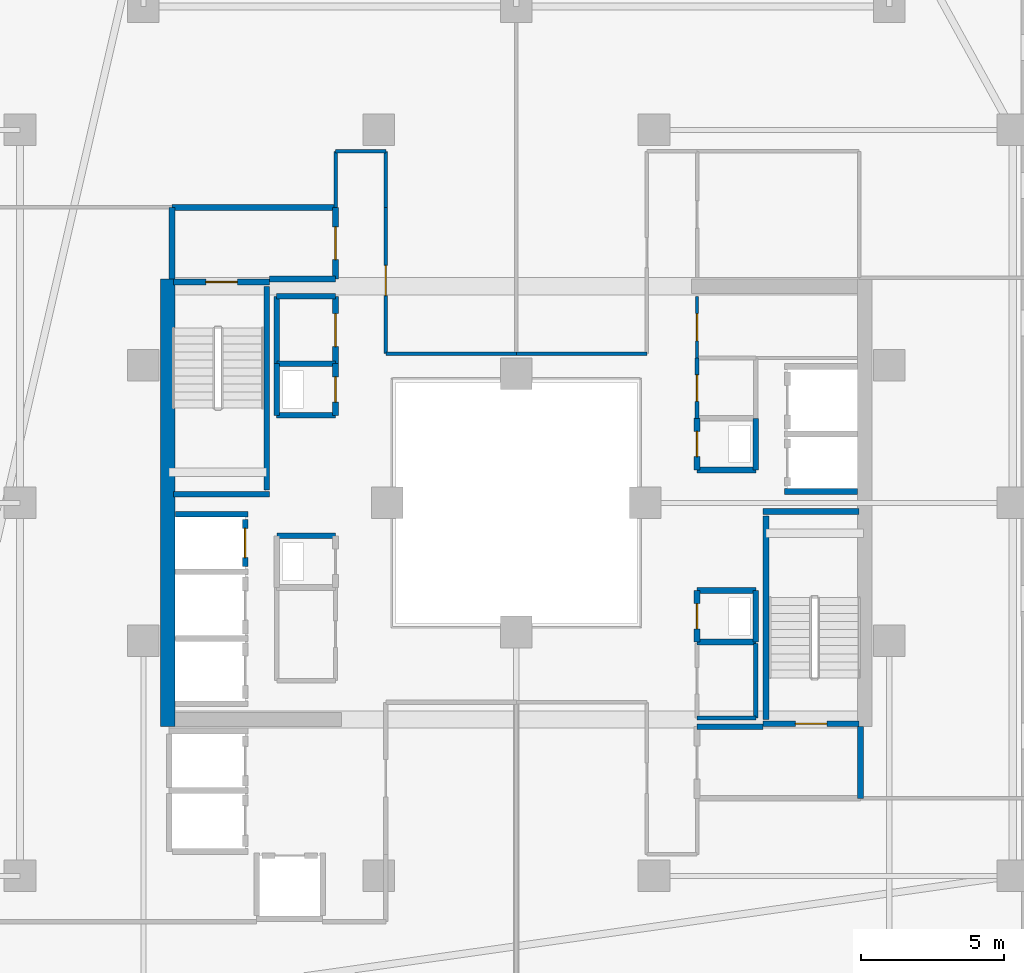
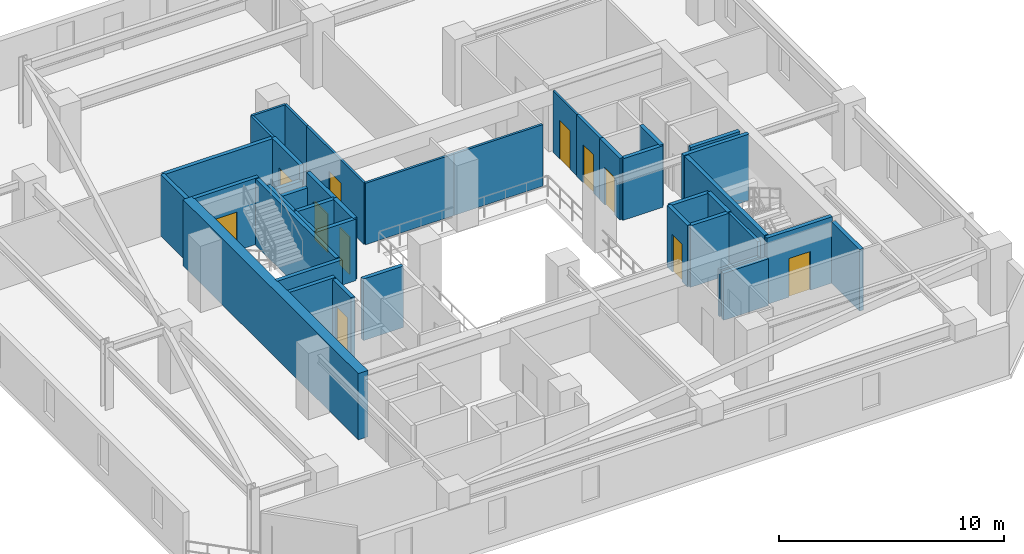
# One storey, part 24 of 32: 41 walls, 11 doors, 11 openings.
"""IFC4 building model written with IfcOpenShell, lengths in metres."""

import ifcopenshell
import ifcopenshell.guid

model = None  # the IFC model being written
_history = None  # IfcOwnerHistory: only IFC2X3 demands one
_inside = {}  # id of a spatial element -> (the spatial element, [elements in it])
_under = {}  # id of a project, library or spatial element -> (it, [spatial elements below it])
_declared = {}  # id of a project -> (the project, [libraries it declares])
_typed = {}  # id of a type object -> (the type object, [elements of that type])
_made_of = {}  # id of a material, layer set ... -> (it, [elements and type objects made of it])


def new_model(schema):
    """Start an empty IFC model of exactly this schema.

    Asked for "IFC4X3", IfcOpenShell would pick the latest addendum, in which some entities
    have other attributes; the version numbers below select the first issue.
    IFC2X3 requires an IfcOwnerHistory on every rooted entity: one is made here for all.
    """
    global model, _history
    if schema == "IFC4X3":
        model = ifcopenshell.file(schema_version=(4, 3, 0, 0))
    else:
        model = ifcopenshell.file(schema=schema)
    _inside.clear()
    _under.clear()
    _declared.clear()
    _typed.clear()
    _made_of.clear()
    _history = None
    if model.schema == "IFC2X3":
        org = make("IfcOrganization", Name="unknown")
        user = make(
            "IfcPersonAndOrganization",
            ThePerson=make("IfcPerson", FamilyName="unknown"),
            TheOrganization=org,
        )
        app = make(
            "IfcApplication",
            ApplicationDeveloper=org,
            Version="unknown",
            ApplicationFullName="unknown",
            ApplicationIdentifier="unknown",
        )
        _history = make(
            "IfcOwnerHistory",
            OwningUser=user,
            OwningApplication=app,
            ChangeAction="ADDED",
            CreationDate=0,
        )
    return model


def make(cls, **values):
    """One entity of the class cls with the attributes given. An attribute that is None is left unset."""
    return model.create_entity(
        cls, **{name: value for name, value in values.items() if value is not None}
    )


def rooted(cls, **values):
    """An entity with a GlobalId (a new one), such as an element, a storey or a relation."""
    return make(cls, GlobalId=ifcopenshell.guid.new(), OwnerHistory=_history, **values)


def si_unit(unit_type, name, prefix=None):
    """IfcSIUnit, for example si_unit("LENGTHUNIT", "METRE", prefix="MILLI")."""
    return make("IfcSIUnit", UnitType=unit_type, Prefix=prefix, Name=name)


def assignment(units):
    """IfcUnitAssignment: the units of a project."""
    return None if units is None else make("IfcUnitAssignment", Units=units)


def point(xyz):
    """IfcCartesianPoint."""
    return None if xyz is None else make("IfcCartesianPoint", Coordinates=xyz)


def direction(xyz):
    """IfcDirection."""
    return None if xyz is None else make("IfcDirection", DirectionRatios=xyz)


def frame(location, z_axis=None, x_axis=None):
    """IfcAxis2Placement3D, a coordinate frame: its origin and axes. An axis left out is left unset."""
    return make(
        "IfcAxis2Placement3D",
        Location=point(location),
        Axis=direction(z_axis),
        RefDirection=direction(x_axis),
    )


def frame_2d(location, x_axis=None):
    """IfcAxis2Placement2D, a coordinate frame in the plane: its origin and x axis."""
    return make(
        "IfcAxis2Placement2D", Location=point(location), RefDirection=direction(x_axis)
    )


def origin():
    """The frame at (0, 0, 0) with its axes left unset."""
    return frame((0.0, 0.0, 0.0))


def place(relative_to, where):
    """IfcLocalPlacement: puts the frame where relative to a parent placement (None: the world)."""
    return make(
        "IfcLocalPlacement", PlacementRelTo=relative_to, RelativePlacement=where
    )


def context(
    kind, dimensions, precision=None, world=None, true_north=None, identifier=None
):
    """IfcGeometricRepresentationContext, for example the 3D "Model" context."""
    return make(
        "IfcGeometricRepresentationContext",
        ContextIdentifier=identifier,
        ContextType=kind,
        CoordinateSpaceDimension=dimensions,
        Precision=precision,
        WorldCoordinateSystem=world,
        TrueNorth=true_north,
    )


def subcontext(parent, identifier, kind, view, scale=None):
    """IfcGeometricRepresentationSubContext, for example "Body" below "Model"."""
    return make(
        "IfcGeometricRepresentationSubContext",
        ContextIdentifier=identifier,
        ContextType=kind,
        ParentContext=parent,
        TargetScale=scale,
        TargetView=view,
    )


def project(units=None, contexts=None):
    """IfcProject with its units and contexts."""
    return rooted(
        "IfcProject",
        Name="project",
        RepresentationContexts=contexts,
        UnitsInContext=assignment(units),
    )


def spatial(cls, under=None, at=None, **own):
    """A site, building, storey or space (cls), placed at a placement, below another one or the project."""
    s = rooted(cls, ObjectPlacement=at, **own)
    if under is not None:
        _under.setdefault(under.id(), (under, []))[1].append(s)
    return s


def profile(cls, at=None, kind="AREA", **sizes):
    """A parametric profile (cls). Its sizes go by their IFC names, for example OverallWidth=200.0."""
    return make(cls, ProfileType=kind, Position=at, **sizes)


def rectangle(**sizes):
    """IfcRectangleProfileDef."""
    return profile("IfcRectangleProfileDef", **sizes)


def extrude(swept, where, along, depth):
    """IfcExtrudedAreaSolid: the profile swept, set in the frame where, extruded along a direction by depth."""
    return make(
        "IfcExtrudedAreaSolid",
        SweptArea=swept,
        Position=where,
        ExtrudedDirection=direction(along),
        Depth=depth,
    )


def shape(context_of_items, identifier, shape_type, items):
    """IfcShapeRepresentation: the items that make up one representation, for example the "Body"."""
    return make(
        "IfcShapeRepresentation",
        ContextOfItems=context_of_items,
        RepresentationIdentifier=identifier,
        RepresentationType=shape_type,
        Items=items,
    )


def material(Name=None, Category=None):
    """IfcMaterial."""
    return make("IfcMaterial", Name=Name, Category=Category)


def layer(
    of_material, thickness, ventilated=None, Name=None, Category=None, Priority=None
):
    """IfcMaterialLayer: one layer of a wall or slab, of a material (None: an air gap)."""
    return make(
        "IfcMaterialLayer",
        Material=of_material,
        LayerThickness=thickness,
        IsVentilated=ventilated,
        Name=Name,
        Category=Category,
        Priority=Priority,
    )


def layer_set(layers, Name=None):
    """IfcMaterialLayerSet."""
    return make("IfcMaterialLayerSet", MaterialLayers=layers, LayerSetName=Name)


def made_of(thing, what):
    """Note that an element or type object is made of a material, layer set ...; save() writes the relation."""
    if what is not None:
        _made_of.setdefault(what.id(), (what, []))[1].append(thing)
    return thing


def type_object(cls, material=None, **own):
    """A type object (cls), such as IfcWallType, which elements share."""
    return made_of(rooted(cls, **own), material)


def element(
    cls,
    number,
    at=None,
    inside=None,
    cuts=None,
    type_object=None,
    material=None,
    context=None,
    identifier="Body",
    shape_type=None,
    held_by="IfcProductDefinitionShape",
    body=None,
    shapes=None,
    **own,
):
    """One element of the class cls, such as IfcWall. Its Tag is "e" and its number.

    at: its placement. inside: the storey or other place that contains it. cuts: it is an
    opening in that element (IfcRelVoidsElement). A single representation is given by context,
    identifier, shape_type and body (its items); several are given by shapes. held_by: the class
    of the entity that holds the representations. save() writes the other relations.
    """
    e = rooted(cls, Tag="e%d" % number, ObjectPlacement=at, **own)
    if body is not None:
        shapes = [shape(context, identifier, shape_type, body)]
    if shapes is not None:
        e.Representation = make(held_by, Representations=shapes)
    if inside is not None:
        _inside.setdefault(inside.id(), (inside, []))[1].append(e)
    if cuts is not None:
        rooted(
            "IfcRelVoidsElement", RelatingBuildingElement=cuts, RelatedOpeningElement=e
        )
    if type_object is not None:
        _typed.setdefault(type_object.id(), (type_object, []))[1].append(e)
    return made_of(e, material)


def fill(opening, filler):
    """IfcRelFillsElement: the door or window that sits in an opening."""
    return rooted(
        "IfcRelFillsElement",
        RelatingOpeningElement=opening,
        RelatedBuildingElement=filler,
    )


def aggregate(whole, parts):
    """IfcRelAggregates: a whole, such as a stair, and the parts it consists of."""
    return rooted("IfcRelAggregates", RelatingObject=whole, RelatedObjects=parts)


def save(model, path):
    """Write the relations noted so far, then the file.

    IfcRelAggregates (storeys below a building ...), IfcRelContainedInSpatialStructure (elements
    in a storey), IfcRelDefinesByType, IfcRelAssociatesMaterial and IfcRelDeclares: one each for
    every whole, place, type object, material and project.
    """
    for whole, parts in _under.values():
        aggregate(whole, parts)
    for where, things in _inside.values():
        rooted(
            "IfcRelContainedInSpatialStructure",
            RelatedElements=things,
            RelatingStructure=where,
        )
    for kind, things in _typed.values():
        rooted("IfcRelDefinesByType", RelatedObjects=things, RelatingType=kind)
    for what, things in _made_of.values():
        rooted("IfcRelAssociatesMaterial", RelatedObjects=things, RelatingMaterial=what)
    for by, libraries in _declared.values():
        rooted("IfcRelDeclares", RelatingContext=by, RelatedDefinitions=libraries)
    model.write(path)


model = new_model("IFC4")

# Units and contexts
model_context = context("Model", 3, precision=1e-05, world=origin(), true_north=direction((0.0, 1.0)))
body_context = subcontext(model_context, "Body", "Model", "MODEL_VIEW")
ifc_project = project(units=[si_unit("LENGTHUNIT", "METRE"), si_unit("AREAUNIT", "SQUARE_METRE"), si_unit("VOLUMEUNIT", "CUBIC_METRE"), si_unit("PLANEANGLEUNIT", "RADIAN"), si_unit("MASSUNIT", "GRAM", prefix="KILO")], contexts=[model_context])

# Site, building, storey
site_placement = place(None, origin())
site = spatial("IfcSite", under=ifc_project, at=site_placement, CompositionType="ELEMENT")
building_placement = place(site_placement, origin())
building = spatial("IfcBuilding", under=site, at=building_placement, Name="Thornwick Lancets Civic Towers", CompositionType="ELEMENT")
storey_placement = place(building_placement, frame((0.0, 0.0, 182.10009765625)))
storey = spatial("IfcBuildingStorey", under=building, at=storey_placement, Name="L48", CompositionType="ELEMENT", Elevation=182.10009765625)

# Wall, opening, door
ifc_material_1 = material(Name="Concrete blockwork C40/50", Category="masonry")
ifc_layer_1 = layer(ifc_material_1, 0.199951171875, Name="Concrete blockwork C40/50")
ifc_layer_set_1 = layer_set([ifc_layer_1], Name="Concrete blockwork C40/50")
wall_type_1 = type_object("IfcWallType", Name="WALL_COMP_200", PredefinedType="STANDARD", material=ifc_layer_set_1)
wall_1_placement = place(storey_placement, frame((79.050048828125, 24.780029296875, 0.0), z_axis=(0.0, 0.0, 1.0), x_axis=(0.0, 1.0, 0.0)))
wall_1 = element("IfcWall", 1, at=wall_1_placement, inside=storey, type_object=wall_type_1, Name="L48 Hoistway Front Wall FL-B2", PredefinedType="STANDARD", context=body_context, shape_type="SweptSolid", body=[
    extrude(rectangle(XDim=1.639892578125, YDim=0.199951171875, at=frame_2d((0.81982421875, 0.0))), origin(), (0.0, 0.0, 1.0), 3.33984375),
])
opening_1_placement = place(wall_1_placement, frame((0.31005859375, 0.0, 0.0)))
opening_1 = element("IfcOpeningElement", 2, at=opening_1_placement, cuts=wall_1, Name="Opening LD-FL-B2", PredefinedType="OPENING", context=body_context, shape_type="SweptSolid", body=[
    extrude(rectangle(XDim=1.02001953125, YDim=2.06005859375, at=frame_2d((0.510009765625, 1.030029296875))), frame((0.0, 0.10986328125, 0.0), z_axis=(0.0, -1.0, 0.0), x_axis=(1.0, 0.0, 0.0)), (0.0, 0.0, 1.0), 0.219970703125),
])
ifc_material_2 = material(Name="Brushed bronze stainless steel", Category="steel")
door_type_1 = type_object("IfcDoorType", Name="DOOR_LIFT_SLIDE", OperationType="SLIDING_TO_LEFT", PredefinedType="DOOR", material=ifc_material_2)
door_1_placement = place(opening_1_placement, origin())
door_1 = element("IfcDoor", 3, at=door_1_placement, inside=storey, type_object=door_type_1, Name="L48 Sliding Lift Landing Door LD-FL-B2", OperationType="SLIDING_TO_LEFT", OverallHeight=2.06005859375, OverallWidth=1.02001953125, PredefinedType="DOOR", context=body_context, shape_type="SweptSolid", body=[
    extrude(rectangle(XDim=1.02001953125, YDim=2.06005859375, at=frame_2d((0.510009765625, 1.030029296875))), frame((0.0, 0.02490234375, 0.0), z_axis=(0.0, -1.0, 0.0), x_axis=(1.0, 0.0, 0.0)), (0.0, 0.0, 1.0), 0.050048828125),
])
fill(opening_1, door_1)

# Walls
for number, where, z_axis, x_axis, name in (
    (4, (97.85205078125, 27.39990234375, 0.0), (0.0, 0.0, 1.0), (1.0, 0.0, 0.0), "L48 Hoistway Shaft Wall FL-B1 S"),
    (5, (76.612060546875, 26.60009765625, 0.0), (0.0, 0.0, 1.0), (1.0, 0.0, 0.0), "L48 Hoistway Shaft Wall FL-B2 N"),
):
    element("IfcWall", number, at=place(storey_placement, frame(where, z_axis=z_axis, x_axis=x_axis)), inside=storey, type_object=wall_type_1, Name=name, PredefinedType="STANDARD", context=body_context, shape_type="SweptSolid", body=[
        extrude(rectangle(XDim=2.535888671875, YDim=0.199951171875, at=frame_2d((1.26806640625, 0.0))), origin(), (0.0, 0.0, 1.0), 3.33984375),
    ])
wall_2_placement = place(storey_placement, frame((100.5, 16.699951171875, 0.0), z_axis=(0.0, 0.0, 1.0), x_axis=(0.0, 1.0, 0.0)))
element("IfcWall", 6, at=wall_2_placement, inside=storey, type_object=wall_type_1, Name="L48 Partition L48-B-FFLOB1 E2", PredefinedType="STANDARD", context=body_context, shape_type="SweptSolid", body=[
    extrude(rectangle(XDim=2.5, YDim=0.199951171875, at=frame_2d((1.25, 0.0))), origin(), (0.0, 0.0, 1.0), 3.33984375),
])
for number, where, z_axis, x_axis, name in (
    (7, (97.10009765625, 19.199951171875, 0.0), (0.0, 0.0, 1.0), (-1.0, 0.0, 0.0), "L48 Partition L48-B-FFLOB1 E3"),
    (8, (79.89990234375, 34.800048828125, 0.0), (0.0, 0.0, 1.0), (1.0, 0.0, 0.0), "L48 Partition L48-B-FFLOB2 E1"),
):
    element("IfcWall", number, at=place(storey_placement, frame(where, z_axis=z_axis, x_axis=x_axis)), inside=storey, type_object=wall_type_1, Name=name, PredefinedType="STANDARD", context=body_context, shape_type="SweptSolid", body=[
        extrude(rectangle(XDim=2.300048828125, YDim=0.199951171875, at=frame_2d((1.14990234375, 0.0))), origin(), (0.0, 0.0, 1.0), 2.544921875),
    ])

# Wall, opening, door
wall_3_placement = place(storey_placement, frame((82.199951171875, 34.800048828125, 0.0), z_axis=(0.0, 0.0, 1.0), x_axis=(0.0, 1.0, 0.0)))
wall_3 = element("IfcWall", 9, at=wall_3_placement, inside=storey, type_object=wall_type_1, Name="L48 Partition L48-B-FFLOB2 E2", PredefinedType="STANDARD", context=body_context, shape_type="SweptSolid", body=[
    extrude(rectangle(XDim=2.5, YDim=0.199951171875, at=frame_2d((1.25, 0.0))), origin(), (0.0, 0.0, 1.0), 3.33984375),
])
opening_2_placement = place(wall_3_placement, frame((0.675048828125, 0.0, 0.0)))
opening_2 = element("IfcOpeningElement", 10, at=opening_2_placement, cuts=wall_3, Name="Opening D-L48-2137", PredefinedType="OPENING", context=body_context, shape_type="SweptSolid", body=[
    extrude(rectangle(XDim=1.14990234375, YDim=2.10009765625, at=frame_2d((0.574951171875, 1.050048828125))), frame((0.0, 0.10986328125, 0.0), z_axis=(0.0, -1.0, 0.0), x_axis=(1.0, 0.0, 0.0)), (0.0, 0.0, 1.0), 0.219970703125),
])
ifc_material_3 = material(Name="Glazed fire-resisting steel", Category="steel")
door_type_2 = type_object("IfcDoorType", Name="DOOR_LOBBY_FD60", OperationType="NOTDEFINED", PredefinedType="DOOR", material=ifc_material_3)
door_2_placement = place(opening_2_placement, origin())
door_2 = element("IfcDoor", 11, at=door_2_placement, inside=storey, type_object=door_type_2, Name="L48 West Firefighting Lobby 2 Door", OperationType="SINGLE_SWING_RIGHT", OverallHeight=2.10009765625, OverallWidth=1.14990234375, PredefinedType="DOOR", context=body_context, shape_type="SweptSolid", body=[
    extrude(rectangle(XDim=1.14990234375, YDim=2.10009765625, at=frame_2d((0.574951171875, 1.050048828125))), frame((0.0, 0.02490234375, 0.0), z_axis=(0.0, -1.0, 0.0), x_axis=(1.0, 0.0, 0.0)), (0.0, 0.0, 1.0), 0.050048828125),
])
fill(opening_2, door_2)

# Walls
wall_4_placement = place(storey_placement, frame((82.199951171875, 37.300048828125, 0.0), z_axis=(0.0, 0.0, 1.0), x_axis=(-1.0, 0.0, 0.0)))
element("IfcWall", 12, at=wall_4_placement, inside=storey, type_object=wall_type_1, Name="L48 Partition L48-B-FFLOB2 E3", PredefinedType="STANDARD", context=body_context, shape_type="SweptSolid", body=[
    extrude(rectangle(XDim=5.699951171875, YDim=0.199951171875, at=frame_2d((2.85009765625, 0.0))), origin(), (0.0, 0.0, 1.0), 3.33984375),
])
wall_5_placement = place(storey_placement, frame((76.5, 37.300048828125, 0.0), z_axis=(0.0, 0.0, 1.0), x_axis=(0.0, -1.0, 0.0)))
element("IfcWall", 13, at=wall_5_placement, inside=storey, type_object=wall_type_1, Name="L48 Partition L48-B-FFLOB2 E4", PredefinedType="STANDARD", context=body_context, shape_type="SweptSolid", body=[
    extrude(rectangle(XDim=2.5, YDim=0.199951171875, at=frame_2d((1.25, 0.0))), origin(), (0.0, 0.0, 1.0), 3.33984375),
])
wall_6_placement = place(storey_placement, frame((94.800048828125, 28.14990234375, 0.0), z_axis=(0.0, 0.0, 1.0), x_axis=(1.0, 0.0, 0.0)))
element("IfcWall", 14, at=wall_6_placement, inside=storey, type_object=wall_type_1, Name="L48 Partition L48-B-DUCT1 E1", PredefinedType="STANDARD", context=body_context, shape_type="SweptSolid", body=[
    extrude(rectangle(XDim=2.050048828125, YDim=0.199951171875, at=frame_2d((1.02490234375, 0.0))), origin(), (0.0, 0.0, 1.0), 3.33984375),
])
wall_7_placement = place(storey_placement, frame((96.85009765625, 28.14990234375, 0.0), z_axis=(0.0, 0.0, 1.0), x_axis=(0.0, 1.0, 0.0)))
element("IfcWall", 15, at=wall_7_placement, inside=storey, type_object=wall_type_1, Name="L48 Partition L48-B-DUCT1 E2", PredefinedType="STANDARD", context=body_context, shape_type="SweptSolid", body=[
    extrude(rectangle(XDim=1.800048828125, YDim=0.199951171875, at=frame_2d((0.89990234375, 0.0))), origin(), (0.0, 0.0, 1.0), 3.33984375),
])

# Wall, opening, door
wall_8_placement = place(storey_placement, frame((94.800048828125, 29.949951171875, 0.0), z_axis=(0.0, 0.0, 1.0), x_axis=(0.0, -1.0, 0.0)))
wall_8 = element("IfcWall", 16, at=wall_8_placement, inside=storey, type_object=wall_type_1, Name="L48 Partition L48-B-DUCT1 E4", PredefinedType="STANDARD", context=body_context, shape_type="SweptSolid", body=[
    extrude(rectangle(XDim=1.800048828125, YDim=0.199951171875, at=frame_2d((0.89990234375, 0.0))), origin(), (0.0, 0.0, 1.0), 3.33984375),
])
opening_3_placement = place(wall_8_placement, frame((0.4599609375, 0.0, 0.0)))
opening_3 = element("IfcOpeningElement", 17, at=opening_3_placement, cuts=wall_8, Name="Opening D-L48-2138", PredefinedType="OPENING", context=body_context, shape_type="SweptSolid", body=[
    extrude(rectangle(XDim=0.8798828125, YDim=2.0400390625, at=frame_2d((0.43994140625, 1.02001953125))), frame((0.0, 0.10986328125, 0.0), z_axis=(0.0, -1.0, 0.0), x_axis=(1.0, 0.0, 0.0)), (0.0, 0.0, 1.0), 0.219970703125),
])
ifc_material_4 = material(Name="Steel riser access doorset", Category="steel")
door_type_3 = type_object("IfcDoorType", Name="DOOR_RISER_850", OperationType="NOTDEFINED", PredefinedType="DOOR", material=ifc_material_4)
door_3_placement = place(opening_3_placement, origin())
door_3 = element("IfcDoor", 18, at=door_3_placement, inside=storey, type_object=door_type_3, Name="L48 East Service Duct 1 Door", OperationType="SINGLE_SWING_LEFT", OverallHeight=2.0400390625, OverallWidth=0.8798828125, PredefinedType="DOOR", context=body_context, shape_type="SweptSolid", body=[
    extrude(rectangle(XDim=0.8798828125, YDim=2.0400390625, at=frame_2d((0.43994140625, 1.02001953125))), frame((0.0, 0.02490234375, 0.0), z_axis=(0.0, -1.0, 0.0), x_axis=(1.0, 0.0, 0.0)), (0.0, 0.0, 1.0), 0.050048828125),
])
fill(opening_3, door_3)

# Walls
wall_9_placement = place(storey_placement, frame((94.800048828125, 22.14990234375, 0.0), z_axis=(0.0, 0.0, 1.0), x_axis=(1.0, 0.0, 0.0)))
element("IfcWall", 19, at=wall_9_placement, inside=storey, type_object=wall_type_1, Name="L48 Partition L48-B-RISER1 E1", PredefinedType="STANDARD", context=body_context, shape_type="SweptSolid", body=[
    extrude(rectangle(XDim=2.050048828125, YDim=0.199951171875, at=frame_2d((1.02490234375, 0.0))), origin(), (0.0, 0.0, 1.0), 3.33984375),
])
wall_10_placement = place(storey_placement, frame((96.85009765625, 22.14990234375, 0.0), z_axis=(0.0, 0.0, 1.0), x_axis=(0.0, 1.0, 0.0)))
element("IfcWall", 20, at=wall_10_placement, inside=storey, type_object=wall_type_1, Name="L48 Partition L48-B-RISER1 E2", PredefinedType="STANDARD", context=body_context, shape_type="SweptSolid", body=[
    extrude(rectangle(XDim=1.800048828125, YDim=0.199951171875, at=frame_2d((0.89990234375, 0.0))), origin(), (0.0, 0.0, 1.0), 3.33984375),
])
wall_11_placement = place(storey_placement, frame((96.85009765625, 23.949951171875, 0.0), z_axis=(0.0, 0.0, 1.0), x_axis=(-1.0, 0.0, 0.0)))
element("IfcWall", 21, at=wall_11_placement, inside=storey, type_object=wall_type_1, Name="L48 Partition L48-B-RISER1 E3", PredefinedType="STANDARD", context=body_context, shape_type="SweptSolid", body=[
    extrude(rectangle(XDim=2.050048828125, YDim=0.199951171875, at=frame_2d((1.02490234375, 0.0))), origin(), (0.0, 0.0, 1.0), 3.33984375),
])

# Wall, opening, door
wall_12_placement = place(storey_placement, frame((94.800048828125, 23.949951171875, 0.0), z_axis=(0.0, 0.0, 1.0), x_axis=(0.0, -1.0, 0.0)))
wall_12 = element("IfcWall", 22, at=wall_12_placement, inside=storey, type_object=wall_type_1, Name="L48 Partition L48-B-RISER1 E4", PredefinedType="STANDARD", context=body_context, shape_type="SweptSolid", body=[
    extrude(rectangle(XDim=1.800048828125, YDim=0.199951171875, at=frame_2d((0.89990234375, 0.0))), origin(), (0.0, 0.0, 1.0), 3.33984375),
])
opening_4_placement = place(wall_12_placement, frame((0.4599609375, 0.0, 0.0)))
opening_4 = element("IfcOpeningElement", 23, at=opening_4_placement, cuts=wall_12, Name="Opening D-L48-2139", PredefinedType="OPENING", context=body_context, shape_type="SweptSolid", body=[
    extrude(rectangle(XDim=0.8798828125, YDim=2.0400390625, at=frame_2d((0.43994140625, 1.02001953125))), frame((0.0, 0.10986328125, 0.0), z_axis=(0.0, -1.0, 0.0), x_axis=(1.0, 0.0, 0.0)), (0.0, 0.0, 1.0), 0.219970703125),
])
door_4_placement = place(opening_4_placement, origin())
door_4 = element("IfcDoor", 24, at=door_4_placement, inside=storey, type_object=door_type_3, Name="L48 East Electrical Riser 1 Door", OperationType="SINGLE_SWING_RIGHT", OverallHeight=2.0400390625, OverallWidth=0.8798828125, PredefinedType="DOOR", context=body_context, shape_type="SweptSolid", body=[
    extrude(rectangle(XDim=0.8798828125, YDim=2.0400390625, at=frame_2d((0.43994140625, 1.02001953125))), frame((0.0, 0.02490234375, 0.0), z_axis=(0.0, -1.0, 0.0), x_axis=(1.0, 0.0, 0.0)), (0.0, 0.0, 1.0), 0.050048828125),
])
fill(opening_4, door_4)

# Walls
for number, where, z_axis, x_axis, name in (
    (25, (82.199951171875, 25.85009765625, 0.0), (0.0, 0.0, 1.0), (-1.0, 0.0, 0.0), "L48 Partition L48-B-DUCT2 E3"),
    (26, (80.14990234375, 30.050048828125, 0.0), (0.0, 0.0, 1.0), (1.0, 0.0, 0.0), "L48 Partition L48-B-RISER2 E1"),
):
    element("IfcWall", number, at=place(storey_placement, frame(where, z_axis=z_axis, x_axis=x_axis)), inside=storey, type_object=wall_type_1, Name=name, PredefinedType="STANDARD", context=body_context, shape_type="SweptSolid", body=[
        extrude(rectangle(XDim=2.050048828125, YDim=0.199951171875, at=frame_2d((1.02490234375, 0.0))), origin(), (0.0, 0.0, 1.0), 3.33984375),
    ])

# Wall, opening, door
wall_13_placement = place(storey_placement, frame((82.199951171875, 30.050048828125, 0.0), z_axis=(0.0, 0.0, 1.0), x_axis=(0.0, 1.0, 0.0)))
wall_13 = element("IfcWall", 27, at=wall_13_placement, inside=storey, type_object=wall_type_1, Name="L48 Partition L48-B-RISER2 E2", PredefinedType="STANDARD", context=body_context, shape_type="SweptSolid", body=[
    extrude(rectangle(XDim=1.800048828125, YDim=0.199951171875, at=frame_2d((0.89990234375, 0.0))), origin(), (0.0, 0.0, 1.0), 3.33984375),
])
opening_5_placement = place(wall_13_placement, frame((0.4599609375, 0.0, 0.0)))
opening_5 = element("IfcOpeningElement", 28, at=opening_5_placement, cuts=wall_13, Name="Opening D-L48-2141", PredefinedType="OPENING", context=body_context, shape_type="SweptSolid", body=[
    extrude(rectangle(XDim=0.8798828125, YDim=2.0400390625, at=frame_2d((0.43994140625, 1.02001953125))), frame((0.0, 0.10986328125, 0.0), z_axis=(0.0, -1.0, 0.0), x_axis=(1.0, 0.0, 0.0)), (0.0, 0.0, 1.0), 0.219970703125),
])
door_5_placement = place(opening_5_placement, origin())
door_5 = element("IfcDoor", 29, at=door_5_placement, inside=storey, type_object=door_type_3, Name="L48 West Service Riser 2 Door", OperationType="SINGLE_SWING_RIGHT", OverallHeight=2.0400390625, OverallWidth=0.8798828125, PredefinedType="DOOR", context=body_context, shape_type="SweptSolid", body=[
    extrude(rectangle(XDim=0.8798828125, YDim=2.0400390625, at=frame_2d((0.43994140625, 1.02001953125))), frame((0.0, 0.02490234375, 0.0), z_axis=(0.0, -1.0, 0.0), x_axis=(1.0, 0.0, 0.0)), (0.0, 0.0, 1.0), 0.050048828125),
])
fill(opening_5, door_5)

# Walls
wall_14_placement = place(storey_placement, frame((82.199951171875, 31.85009765625, 0.0), z_axis=(0.0, 0.0, 1.0), x_axis=(-1.0, 0.0, 0.0)))
element("IfcWall", 30, at=wall_14_placement, inside=storey, type_object=wall_type_1, Name="L48 Partition L48-B-RISER2 E3", PredefinedType="STANDARD", context=body_context, shape_type="SweptSolid", body=[
    extrude(rectangle(XDim=2.050048828125, YDim=0.199951171875, at=frame_2d((1.02490234375, 0.0))), origin(), (0.0, 0.0, 1.0), 3.33984375),
])
wall_15_placement = place(storey_placement, frame((80.14990234375, 31.85009765625, 0.0), z_axis=(0.0, 0.0, 1.0), x_axis=(0.0, -1.0, 0.0)))
element("IfcWall", 31, at=wall_15_placement, inside=storey, type_object=wall_type_1, Name="L48 Partition L48-B-RISER2 E4", PredefinedType="STANDARD", context=body_context, shape_type="SweptSolid", body=[
    extrude(rectangle(XDim=1.800048828125, YDim=0.199951171875, at=frame_2d((0.89990234375, 0.0))), origin(), (0.0, 0.0, 1.0), 3.33984375),
])
wall_16_placement = place(storey_placement, frame((80.14990234375, 31.85009765625, 0.0), z_axis=(0.0, 0.0, 1.0), x_axis=(0.0, 1.0, 0.0)))
element("IfcWall", 32, at=wall_16_placement, inside=storey, type_object=wall_type_1, Name="L48 Partition L48-B-STR E1", PredefinedType="STANDARD", context=body_context, shape_type="SweptSolid", body=[
    extrude(rectangle(XDim=2.349853515625, YDim=0.199951171875, at=frame_2d((1.1748046875, 0.0))), origin(), (0.0, 0.0, 1.0), 3.33984375),
])
wall_17_placement = place(storey_placement, frame((80.14990234375, 34.199951171875, 0.0), z_axis=(0.0, 0.0, 1.0), x_axis=(1.0, 0.0, 0.0)))
element("IfcWall", 33, at=wall_17_placement, inside=storey, type_object=wall_type_1, Name="L48 Partition L48-B-STR E2", PredefinedType="STANDARD", context=body_context, shape_type="SweptSolid", body=[
    extrude(rectangle(XDim=2.050048828125, YDim=0.199951171875, at=frame_2d((1.02490234375, 0.0))), origin(), (0.0, 0.0, 1.0), 2.544921875),
])

# Wall, opening, door
wall_18_placement = place(storey_placement, frame((82.199951171875, 34.199951171875, 0.0), z_axis=(0.0, 0.0, 1.0), x_axis=(0.0, -1.0, 0.0)))
wall_18 = element("IfcWall", 34, at=wall_18_placement, inside=storey, type_object=wall_type_1, Name="L48 Partition L48-B-STR E3", PredefinedType="STANDARD", context=body_context, shape_type="SweptSolid", body=[
    extrude(rectangle(XDim=2.349853515625, YDim=0.199951171875, at=frame_2d((1.1748046875, 0.0))), origin(), (0.0, 0.0, 1.0), 3.33984375),
])
opening_6_placement = place(wall_18_placement, frame((0.60009765625, 0.0, 0.0)))
opening_6 = element("IfcOpeningElement", 35, at=opening_6_placement, cuts=wall_18, Name="Opening D-L48-2146", PredefinedType="OPENING", context=body_context, shape_type="SweptSolid", body=[
    extrude(rectangle(XDim=1.14990234375, YDim=2.10009765625, at=frame_2d((0.574951171875, 1.050048828125))), frame((0.0, 0.10986328125, 0.0), z_axis=(0.0, -1.0, 0.0), x_axis=(1.0, 0.0, 0.0)), (0.0, 0.0, 1.0), 0.219970703125),
])
door_6_placement = place(opening_6_placement, origin())
door_6 = element("IfcDoor", 36, at=door_6_placement, inside=storey, type_object=door_type_2, Name="L48 Tower B Core Equipment Store Door", OperationType="SINGLE_SWING_LEFT", OverallHeight=2.10009765625, OverallWidth=1.14990234375, PredefinedType="DOOR", context=body_context, shape_type="SweptSolid", body=[
    extrude(rectangle(XDim=1.14990234375, YDim=2.10009765625, at=frame_2d((0.574951171875, 1.050048828125))), frame((0.0, 0.02490234375, 0.0), z_axis=(0.0, -1.0, 0.0), x_axis=(1.0, 0.0, 0.0)), (0.0, 0.0, 1.0), 0.050048828125),
])
fill(opening_6, door_6)

# Wall
ifc_material_5 = material(Name="Concrete C50/60", Category="concrete")
ifc_layer_2 = layer(ifc_material_5, 0.5, Name="Concrete C50/60")
ifc_layer_set_2 = layer_set([ifc_layer_2], Name="Concrete C50/60")
wall_type_2 = type_object("IfcWallType", Name="WALL_CORE_500", PredefinedType="SHEAR", material=ifc_layer_set_2)
wall_19_placement = place(storey_placement, frame((76.35009765625, 19.199951171875, 0.0), z_axis=(0.0, 0.0, 1.0), x_axis=(0.0, 1.0, 0.0)))
element("IfcWall", 37, at=wall_19_placement, inside=storey, type_object=wall_type_2, Name="L48 Split Core B2 Shear Wall W", PredefinedType="SHEAR", context=body_context, shape_type="SweptSolid", body=[
    extrude(rectangle(XDim=15.60009765625, YDim=0.5, at=frame_2d((7.800048828125, 0.0))), origin(), (0.0, 0.0, 1.0), 3.599853515625),
])

# Wall, opening, door
ifc_material_6 = material(Name="Lightweight cellular office partition")
ifc_layer_3 = layer(ifc_material_6, 0.10009765625, Name="Lightweight cellular office partition")
ifc_layer_set_3 = layer_set([ifc_layer_3], Name="Lightweight cellular office partition")
wall_type_3 = type_object("IfcWallType", Name="WALL_PART_100", PredefinedType="PARTITIONING", material=ifc_layer_set_3)
wall_20_placement = place(storey_placement, frame((94.800048828125, 32.050048828125, 0.0), z_axis=(0.0, 0.0, 1.0), x_axis=(0.0, 1.0, 0.0)))
wall_20 = element("IfcWall", 38, at=wall_20_placement, inside=storey, type_object=wall_type_3, Name="L48 Partition L48-B-CLN E1", PredefinedType="PARTITIONING", context=body_context, shape_type="SweptSolid", body=[
    extrude(rectangle(XDim=2.14990234375, YDim=0.10009765625, at=frame_2d((1.074951171875, 0.0))), origin(), (0.0, 0.0, 1.0), 3.33984375),
])
opening_7_placement = place(wall_20_placement, frame((0.60009765625, 0.0, 0.0)))
opening_7 = element("IfcOpeningElement", 39, at=opening_7_placement, cuts=wall_20, Name="Opening D-L48-2144", PredefinedType="OPENING", context=body_context, shape_type="SweptSolid", body=[
    extrude(rectangle(XDim=0.949951171875, YDim=2.10009765625, at=frame_2d((0.47509765625, 1.050048828125))), frame((0.0, 0.06005859375, 0.0), z_axis=(0.0, -1.0, 0.0), x_axis=(1.0, 0.0, 0.0)), (0.0, 0.0, 1.0), 0.1201171875),
])
ifc_material_7 = material(Name="European oak acoustic doorset")
door_type_4 = type_object("IfcDoorType", Name="DOOR_OFFICE_950", OperationType="NOTDEFINED", PredefinedType="DOOR", material=ifc_material_7)
door_7_placement = place(opening_7_placement, origin())
door_7 = element("IfcDoor", 40, at=door_7_placement, inside=storey, type_object=door_type_4, Name="L48 Tower B Cleaners Store Door", OperationType="SINGLE_SWING_LEFT", OverallHeight=2.10009765625, OverallWidth=0.949951171875, PredefinedType="DOOR", context=body_context, shape_type="SweptSolid", body=[
    extrude(rectangle(XDim=0.949951171875, YDim=2.10009765625, at=frame_2d((0.47509765625, 1.050048828125))), frame((0.0, 0.02490234375, 0.0), z_axis=(0.0, -1.0, 0.0), x_axis=(1.0, 0.0, 0.0)), (0.0, 0.0, 1.0), 0.050048828125),
])
fill(opening_7, door_7)

# Wall
ifc_material_8 = material(Name="Acoustic gypsum board partition")
ifc_layer_4 = layer(ifc_material_8, 0.1201171875, Name="Acoustic gypsum board partition")
ifc_layer_set_4 = layer_set([ifc_layer_4], Name="Acoustic gypsum board partition")
wall_type_4 = type_object("IfcWallType", Name="WALL_PART_120", PredefinedType="PARTITIONING", material=ifc_layer_set_4)
wall_21_placement = place(storey_placement, frame((93.050048828125, 32.199951171875, 0.0), z_axis=(0.0, 0.0, 1.0), x_axis=(-1.0, 0.0, 0.0)))
element("IfcWall", 41, at=wall_21_placement, inside=storey, type_object=wall_type_4, Name="L48 Partition L48-B-E1 E5", PredefinedType="PARTITIONING", context=body_context, shape_type="SweptSolid", body=[
    extrude(rectangle(XDim=4.550048828125, YDim=0.1201171875, at=frame_2d((2.27490234375, 0.0))), origin(), (0.0, 0.0, 1.0), 3.33984375),
])

# Wall, opening, door
wall_22_placement = place(storey_placement, frame((83.949951171875, 32.199951171875, 0.0), z_axis=(0.0, 0.0, 1.0), x_axis=(0.0, 1.0, 0.0)))
wall_22 = element("IfcWall", 42, at=wall_22_placement, inside=storey, type_object=wall_type_4, Name="L48 Partition L48-B-E3 E1", PredefinedType="PARTITIONING", context=body_context, shape_type="SweptSolid", body=[
    extrude(rectangle(XDim=5.10009765625, YDim=0.1201171875, at=frame_2d((2.550048828125, 0.0))), origin(), (0.0, 0.0, 1.0), 3.33984375),
])
opening_8_placement = place(wall_22_placement, frame((2.02490234375, 0.0, 0.0)))
opening_8 = element("IfcOpeningElement", 43, at=opening_8_placement, cuts=wall_22, Name="Opening D-L48-2156", PredefinedType="OPENING", context=body_context, shape_type="SweptSolid", body=[
    extrude(rectangle(XDim=1.050048828125, YDim=2.10009765625, at=frame_2d((0.52490234375, 1.050048828125))), frame((0.0, 0.070068359375, 0.0), z_axis=(0.0, -1.0, 0.0), x_axis=(1.0, 0.0, 0.0)), (0.0, 0.0, 1.0), 0.14013671875),
])
ifc_material_9 = material(Name="Glazed European oak executive doorset")
door_type_5 = type_object("IfcDoorType", Name="DOOR_OFFICE_1050", OperationType="NOTDEFINED", PredefinedType="DOOR", material=ifc_material_9)
door_8_placement = place(opening_8_placement, origin())
door_8 = element("IfcDoor", 44, at=door_8_placement, inside=storey, type_object=door_type_5, Name="L48 Tower B Civic Seminar Room Door", OperationType="SINGLE_SWING_LEFT", OverallHeight=2.10009765625, OverallWidth=1.050048828125, PredefinedType="DOOR", context=body_context, shape_type="SweptSolid", body=[
    extrude(rectangle(XDim=1.050048828125, YDim=2.10009765625, at=frame_2d((0.52490234375, 1.050048828125))), frame((0.0, 0.02490234375, 0.0), z_axis=(0.0, -1.0, 0.0), x_axis=(1.0, 0.0, 0.0)), (0.0, 0.0, 1.0), 0.050048828125),
])
fill(opening_8, door_8)

# Walls
wall_23_placement = place(storey_placement, frame((83.949951171875, 37.300048828125, 0.0), z_axis=(0.0, 0.0, 1.0), x_axis=(0.0, 1.0, 0.0)))
element("IfcWall", 45, at=wall_23_placement, inside=storey, type_object=wall_type_4, Name="L48 Partition L48-B-E3 E2", PredefinedType="PARTITIONING", context=body_context, shape_type="SweptSolid", body=[
    extrude(rectangle(XDim=1.949951171875, YDim=0.1201171875, at=frame_2d((0.97509765625, 0.0))), origin(), (0.0, 0.0, 1.0), 3.33984375),
])
wall_24_placement = place(storey_placement, frame((83.949951171875, 39.25, 0.0), z_axis=(0.0, 0.0, 1.0), x_axis=(-1.0, 0.0, 0.0)))
element("IfcWall", 46, at=wall_24_placement, inside=storey, type_object=wall_type_4, Name="L48 Partition L48-B-E3 E3", PredefinedType="PARTITIONING", context=body_context, shape_type="SweptSolid", body=[
    extrude(rectangle(XDim=1.75, YDim=0.1201171875, at=frame_2d((0.875, 0.0))), origin(), (0.0, 0.0, 1.0), 3.33984375),
])
wall_25_placement = place(storey_placement, frame((82.199951171875, 39.25, 0.0), z_axis=(0.0, 0.0, 1.0), x_axis=(0.0, -1.0, 0.0)))
element("IfcWall", 47, at=wall_25_placement, inside=storey, type_object=wall_type_4, Name="L48 Partition L48-B-E3 E4", PredefinedType="PARTITIONING", context=body_context, shape_type="SweptSolid", body=[
    extrude(rectangle(XDim=1.949951171875, YDim=0.1201171875, at=frame_2d((0.97509765625, 0.0))), origin(), (0.0, 0.0, 1.0), 3.33984375),
])
wall_26_placement = place(storey_placement, frame((88.5, 32.199951171875, 0.0), z_axis=(0.0, 0.0, 1.0), x_axis=(-1.0, 0.0, 0.0)))
element("IfcWall", 48, at=wall_26_placement, inside=storey, type_object=wall_type_4, Name="L48 Partition L48-B-E3 E11", PredefinedType="PARTITIONING", context=body_context, shape_type="SweptSolid", body=[
    extrude(rectangle(XDim=4.550048828125, YDim=0.1201171875, at=frame_2d((2.27490234375, 0.0))), origin(), (0.0, 0.0, 1.0), 3.33984375),
])
ifc_material_10 = material(Name="Twin-stud acoustic gypsum board")
ifc_layer_5 = layer(ifc_material_10, 0.14990234375, Name="Twin-stud acoustic gypsum board")
ifc_layer_set_5 = layer_set([ifc_layer_5], Name="Twin-stud acoustic gypsum board")
wall_type_5 = type_object("IfcWallType", Name="WALL_PART_150", PredefinedType="PARTITIONING", material=ifc_layer_set_5)
wall_27_placement = place(storey_placement, frame((94.800048828125, 19.5, 0.0), z_axis=(0.0, 0.0, 1.0), x_axis=(1.0, 0.0, 0.0)))
element("IfcWall", 49, at=wall_27_placement, inside=storey, type_object=wall_type_5, Name="L48 Partition L48-B-AWC E1", PredefinedType="PARTITIONING", context=body_context, shape_type="SweptSolid", body=[
    extrude(rectangle(XDim=2.050048828125, YDim=0.14990234375, at=frame_2d((1.02490234375, 0.0))), origin(), (0.0, 0.0, 1.0), 2.544921875),
])
wall_28_placement = place(storey_placement, frame((96.85009765625, 19.5, 0.0), z_axis=(0.0, 0.0, 1.0), x_axis=(0.0, 1.0, 0.0)))
element("IfcWall", 50, at=wall_28_placement, inside=storey, type_object=wall_type_5, Name="L48 Partition L48-B-AWC E2", PredefinedType="PARTITIONING", context=body_context, shape_type="SweptSolid", body=[
    extrude(rectangle(XDim=2.60009765625, YDim=0.14990234375, at=frame_2d((1.300048828125, 0.0))), origin(), (0.0, 0.0, 1.0), 3.33984375),
])

# Wall, opening, door
wall_29_placement = place(storey_placement, frame((94.800048828125, 29.949951171875, 0.0), z_axis=(0.0, 0.0, 1.0), x_axis=(0.0, 1.0, 0.0)))
wall_29 = element("IfcWall", 51, at=wall_29_placement, inside=storey, type_object=wall_type_5, Name="L48 Partition L48-B-MWC E1", PredefinedType="PARTITIONING", context=body_context, shape_type="SweptSolid", body=[
    extrude(rectangle(XDim=2.10009765625, YDim=0.14990234375, at=frame_2d((1.050048828125, 0.0))), origin(), (0.0, 0.0, 1.0), 3.33984375),
])
opening_9_placement = place(wall_29_placement, frame((0.590087890625, 0.0, 0.0)))
opening_9 = element("IfcOpeningElement", 52, at=opening_9_placement, cuts=wall_29, Name="Opening D-L48-2143", PredefinedType="OPENING", context=body_context, shape_type="SweptSolid", body=[
    extrude(rectangle(XDim=0.919921875, YDim=2.080078125, at=frame_2d((0.4599609375, 1.0400390625))), frame((0.0, 0.0849609375, 0.0), z_axis=(0.0, -1.0, 0.0), x_axis=(1.0, 0.0, 0.0)), (0.0, 0.0, 1.0), 0.169921875),
])
ifc_material_11 = material(Name="Moisture-resistant oak doorset")
door_type_6 = type_object("IfcDoorType", Name="DOOR_WC_900", OperationType="NOTDEFINED", PredefinedType="DOOR", material=ifc_material_11)
door_9_placement = place(opening_9_placement, origin())
door_9 = element("IfcDoor", 53, at=door_9_placement, inside=storey, type_object=door_type_6, Name="L48 Tower B Male WC Door", OperationType="SINGLE_SWING_RIGHT", OverallHeight=2.080078125, OverallWidth=0.919921875, PredefinedType="DOOR", context=body_context, shape_type="SweptSolid", body=[
    extrude(rectangle(XDim=0.919921875, YDim=2.080078125, at=frame_2d((0.4599609375, 1.0400390625))), frame((0.0, 0.02490234375, 0.0), z_axis=(0.0, -1.0, 0.0), x_axis=(1.0, 0.0, 0.0)), (0.0, 0.0, 1.0), 0.050048828125),
])
fill(opening_9, door_9)

ifc_material_12 = material(Name="Concrete C40/50", Category="concrete")
ifc_layer_6 = layer(ifc_material_12, 0.199951171875, Name="Concrete C40/50")
ifc_layer_set_6 = layer_set([ifc_layer_6], Name="Concrete C40/50")
wall_type_6 = type_object("IfcWallType", Name="WALL_SHAFT_200", PredefinedType="SHEAR", material=ifc_layer_set_6)
wall_30_placement = place(storey_placement, frame((100.449951171875, 19.300048828125, 0.0), z_axis=(0.0, 0.0, 1.0), x_axis=(-1.0, 0.0, 0.0)))
wall_30 = element("IfcWall", 54, at=wall_30_placement, inside=storey, type_object=wall_type_6, Name="L48 ST-B1 Fire Stair Core Wall NEAR", PredefinedType="SHEAR", context=body_context, shape_type="SweptSolid", body=[
    extrude(rectangle(XDim=3.349853515625, YDim=0.199951171875, at=frame_2d((1.6748046875, 0.0))), origin(), (0.0, 0.0, 1.0), 3.599853515625),
])
opening_10_placement = place(wall_30_placement, frame((1.125, 0.0, 0.0)))
opening_10 = element("IfcOpeningElement", 55, at=opening_10_placement, cuts=wall_30, Name="Opening D-ST-B1-L48", PredefinedType="OPENING", context=body_context, shape_type="SweptSolid", body=[
    extrude(rectangle(XDim=1.10009765625, YDim=2.10009765625, at=frame_2d((0.550048828125, 1.050048828125))), frame((0.0, 0.10986328125, 0.0), z_axis=(0.0, -1.0, 0.0), x_axis=(1.0, 0.0, 0.0)), (0.0, 0.0, 1.0), 0.219970703125),
])
ifc_material_13 = material(Name="Fire-resisting steel and hardwood", Category="steel")
door_type_7 = type_object("IfcDoorType", Name="DOOR_STAIR_FD60", OperationType="NOTDEFINED", PredefinedType="DOOR", material=ifc_material_13)
door_10_placement = place(opening_10_placement, origin())
door_10 = element("IfcDoor", 56, at=door_10_placement, inside=storey, type_object=door_type_7, Name="L48 ST-B1 Exit Stair Door", OperationType="SINGLE_SWING_RIGHT", OverallHeight=2.10009765625, OverallWidth=1.10009765625, PredefinedType="DOOR", context=body_context, shape_type="SweptSolid", body=[
    extrude(rectangle(XDim=1.10009765625, YDim=2.10009765625, at=frame_2d((0.550048828125, 1.050048828125))), frame((0.0, 0.02490234375, 0.0), z_axis=(0.0, -1.0, 0.0), x_axis=(1.0, 0.0, 0.0)), (0.0, 0.0, 1.0), 0.050048828125),
])
fill(opening_10, door_10)

# Walls
wall_31_placement = place(storey_placement, frame((97.10009765625, 26.699951171875, 0.0), z_axis=(0.0, 0.0, 1.0), x_axis=(1.0, 0.0, 0.0)))
element("IfcWall", 57, at=wall_31_placement, inside=storey, type_object=wall_type_6, Name="L48 ST-B1 Fire Stair Core Wall FAR", PredefinedType="SHEAR", context=body_context, shape_type="SweptSolid", body=[
    extrude(rectangle(XDim=3.349853515625, YDim=0.199951171875, at=frame_2d((1.6748046875, 0.0))), origin(), (0.0, 0.0, 1.0), 3.599853515625),
])
wall_32_placement = place(storey_placement, frame((97.202880859375, 26.550048828125, 0.0), z_axis=(0.0, 0.0, 1.0), x_axis=(0.0, -1.0, 0.0)))
element("IfcWall", 58, at=wall_32_placement, inside=storey, type_object=wall_type_6, Name="L48 ST-B1 Fire Stair Core Wall RIGHT", PredefinedType="SHEAR", context=body_context, shape_type="SweptSolid", body=[
    extrude(rectangle(XDim=7.10009765625, YDim=0.199951171875, at=frame_2d((3.550048828125, 0.0))), origin(), (0.0, 0.0, 1.0), 3.599853515625),
])

# Wall, opening, door
wall_33_placement = place(storey_placement, frame((76.550048828125, 34.699951171875, 0.0), z_axis=(0.0, 0.0, 1.0), x_axis=(1.0, 0.0, 0.0)))
wall_33 = element("IfcWall", 59, at=wall_33_placement, inside=storey, type_object=wall_type_6, Name="L48 ST-B2 Fire Stair Core Wall NEAR", PredefinedType="SHEAR", context=body_context, shape_type="SweptSolid", body=[
    extrude(rectangle(XDim=3.349853515625, YDim=0.199951171875, at=frame_2d((1.6748046875, 0.0))), origin(), (0.0, 0.0, 1.0), 3.599853515625),
])
opening_11_placement = place(wall_33_placement, frame((1.125, 0.0, 0.0)))
opening_11 = element("IfcOpeningElement", 60, at=opening_11_placement, cuts=wall_33, Name="Opening D-ST-B2-L48", PredefinedType="OPENING", context=body_context, shape_type="SweptSolid", body=[
    extrude(rectangle(XDim=1.10009765625, YDim=2.10009765625, at=frame_2d((0.550048828125, 1.050048828125))), frame((0.0, 0.10986328125, 0.0), z_axis=(0.0, -1.0, 0.0), x_axis=(1.0, 0.0, 0.0)), (0.0, 0.0, 1.0), 0.219970703125),
])
door_11_placement = place(opening_11_placement, origin())
door_11 = element("IfcDoor", 61, at=door_11_placement, inside=storey, type_object=door_type_7, Name="L48 ST-B2 Exit Stair Door", OperationType="SINGLE_SWING_LEFT", OverallHeight=2.10009765625, OverallWidth=1.10009765625, PredefinedType="DOOR", context=body_context, shape_type="SweptSolid", body=[
    extrude(rectangle(XDim=1.10009765625, YDim=2.10009765625, at=frame_2d((0.550048828125, 1.050048828125))), frame((0.0, 0.02490234375, 0.0), z_axis=(0.0, -1.0, 0.0), x_axis=(1.0, 0.0, 0.0)), (0.0, 0.0, 1.0), 0.050048828125),
])
fill(opening_11, door_11)

# Walls
wall_34_placement = place(storey_placement, frame((79.89990234375, 27.300048828125, 0.0), z_axis=(0.0, 0.0, 1.0), x_axis=(-1.0, 0.0, 0.0)))
element("IfcWall", 62, at=wall_34_placement, inside=storey, type_object=wall_type_6, Name="L48 ST-B2 Fire Stair Core Wall FAR", PredefinedType="SHEAR", context=body_context, shape_type="SweptSolid", body=[
    extrude(rectangle(XDim=3.349853515625, YDim=0.199951171875, at=frame_2d((1.6748046875, 0.0))), origin(), (0.0, 0.0, 1.0), 3.599853515625),
])
wall_35_placement = place(storey_placement, frame((79.797119140625, 27.449951171875, 0.0), z_axis=(0.0, 0.0, 1.0), x_axis=(0.0, 1.0, 0.0)))
element("IfcWall", 63, at=wall_35_placement, inside=storey, type_object=wall_type_6, Name="L48 ST-B2 Fire Stair Core Wall RIGHT", PredefinedType="SHEAR", context=body_context, shape_type="SweptSolid", body=[
    extrude(rectangle(XDim=7.10009765625, YDim=0.199951171875, at=frame_2d((3.550048828125, 0.0))), origin(), (0.0, 0.0, 1.0), 3.599853515625),
])

save(model, "model.ifc")
